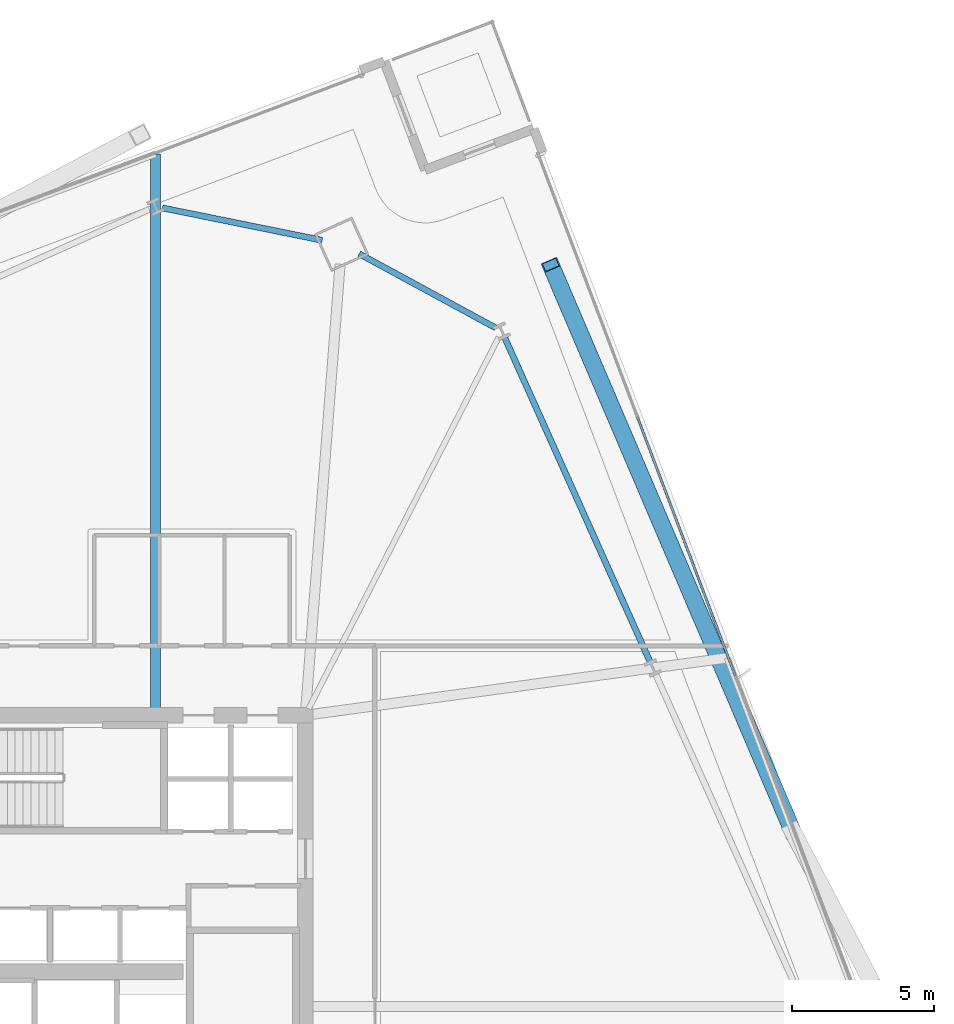
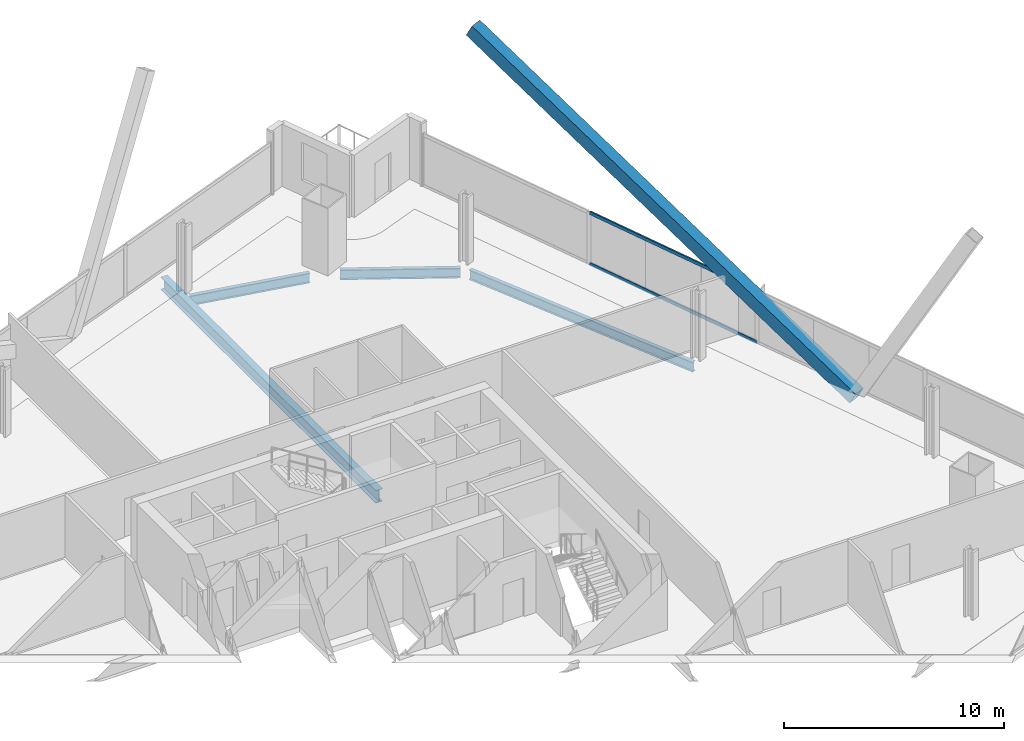
# One storey, part 25 of 37: 4 beams, 3 members, 1 element without a shape of its own.
"""IFC4 building model written with IfcOpenShell, lengths in metres."""

from ifc_helpers import new_model, si_unit, direction, frame, origin, origin_2d, place, context, subcontext, project, spatial, hollow_rectangle, i_section, extrude, material, material_profile, profile_set, type_object, element, aggregate, save


model = new_model("IFC4")

# Units and contexts
model_context = context("Model", 3, precision=1e-05, world=origin(), true_north=direction((0.0, 1.0)))
body_context = subcontext(model_context, "Body", "Model", "MODEL_VIEW")
ifc_project = project(units=[si_unit("LENGTHUNIT", "METRE"), si_unit("AREAUNIT", "SQUARE_METRE"), si_unit("VOLUMEUNIT", "CUBIC_METRE"), si_unit("PLANEANGLEUNIT", "RADIAN"), si_unit("MASSUNIT", "GRAM", prefix="KILO")], contexts=[model_context])

# Site, building, storey
site_placement = place(None, origin())
site = spatial("IfcSite", under=ifc_project, at=site_placement, CompositionType="ELEMENT")
building_placement = place(site_placement, origin())
building = spatial("IfcBuilding", under=site, at=building_placement, Name="Haldenkirk Collegiate Tower", CompositionType="ELEMENT")
storey_placement = place(building_placement, frame((0.0, 0.0, 97.949951171875)))
storey = spatial("IfcBuildingStorey", under=building, at=storey_placement, Name="L23", CompositionType="ELEMENT", Elevation=97.949951171875)

# Beams
ifc_material_1 = material(Name="Steel ASTM A992 Grade 50", Category="steel")
ifc_material_profile_1 = material_profile(ifc_material_1, i_section(OverallWidth=0.35498046875, OverallDepth=0.696044921875, WebThickness=0.015380859375, FlangeThickness=0.02490234375, at=origin_2d()), Name="W27X146")
ifc_profile_set_1 = profile_set([ifc_material_profile_1], Name="Steel ASTM A992 Grade 50")
beam_type_1 = type_object("IfcBeamType", Name="BM-GIRDER-W27X146", PredefinedType="BEAM", material=ifc_profile_set_1)
beam_1_placement = place(storey_placement, frame((39.71630859375, 53.787353515625, -0.64794921875), z_axis=(0.0, -1.0, 0.0), x_axis=(1.0, 0.0, 0.0)))
element("IfcBeam", 1, at=beam_1_placement, inside=storey, type_object=beam_type_1, Name="L23 primary floor girder 11", PredefinedType="BEAM", context=body_context, shape_type="SweptSolid", body=[
    extrude(i_section(OverallWidth=0.35498046875, OverallDepth=0.696044921875, WebThickness=0.015380859375, FlangeThickness=0.02490234375, at=origin_2d()), origin(), (0.0, 0.0, 1.0), 19.532470703125),
])
ifc_material_profile_2 = material_profile(ifc_material_1, i_section(OverallWidth=0.2119140625, OverallDepth=0.5439453125, WebThickness=0.01318359375, FlangeThickness=0.021240234375, at=origin_2d()), Name="W21X83")
ifc_profile_set_2 = profile_set([ifc_material_profile_2], Name="Steel ASTM A992 Grade 50")
beam_type_2 = type_object("IfcBeamType", Name="BM-SPANDREL-W21X83", PredefinedType="SPANDREL", material=ifc_profile_set_2)
beam_2_placement = place(storey_placement, frame((57.15478515625, 35.89111328125, -0.572021484375), z_axis=(-0.409131464477, 0.912475448861, 0.0), x_axis=(-0.912475448861, -0.409131464477, 0.0)))
element("IfcBeam", 2, at=beam_2_placement, inside=storey, type_object=beam_type_2, Name="L23 perimeter spandrel beam 07", PredefinedType="SPANDREL", context=body_context, shape_type="SweptSolid", body=[
    extrude(i_section(OverallWidth=0.2119140625, OverallDepth=0.5439453125, WebThickness=0.01318359375, FlangeThickness=0.021240234375, at=origin_2d()), origin(), (0.0, 0.0, 1.0), 12.524169921875),
])
beam_3_placement = place(storey_placement, frame((51.714599609375, 47.66015625, -0.572021484375), z_axis=(-0.878835810931, 0.477124320723, 0.0), x_axis=(-0.477124320723, -0.878835810931, 0.0)))
element("IfcBeam", 3, at=beam_3_placement, inside=storey, type_object=beam_type_2, Name="L23 perimeter spandrel beam 08", PredefinedType="SPANDREL", context=body_context, shape_type="SweptSolid", body=[
    extrude(i_section(OverallWidth=0.2119140625, OverallDepth=0.5439453125, WebThickness=0.01318359375, FlangeThickness=0.021240234375, at=origin_2d()), origin(), (0.0, 0.0, 1.0), 5.477783203125),
])
beam_4_placement = place(storey_placement, frame((45.590087890625, 50.750244140625, -0.572021484375), z_axis=(-0.980069318183, 0.198655811786, 0.0), x_axis=(-0.198655811786, -0.980069318183, 0.0)))
element("IfcBeam", 4, at=beam_4_placement, inside=storey, type_object=beam_type_2, Name="L23 perimeter spandrel beam 09", PredefinedType="SPANDREL", context=body_context, shape_type="SweptSolid", body=[
    extrude(i_section(OverallWidth=0.2119140625, OverallDepth=0.5439453125, WebThickness=0.01318359375, FlangeThickness=0.021240234375, at=origin_2d()), origin(), (0.0, 0.0, 1.0), 5.747802734375),
])

# Curtain wall, members
ifc_material_2 = material(Name="Anodised architectural bronze aluminium", Category="aluminium")
curtain_wall_type = type_object("IfcCurtainWallType", Name="CW-SYS1-CONVEX-LOW", PredefinedType="USERDEFINED", material=ifc_material_2)
curtain_wall_placement = place(storey_placement, origin())
curtain_wall = element("IfcCurtainWall", 5, at=curtain_wall_placement, inside=storey, type_object=curtain_wall_type, Name="L23 Lower tower convex bronze-framed unitised curtain wall", ObjectType="UNITISED CURTAIN WALL", PredefinedType="USERDEFINED")
ifc_material_profile_3 = material_profile(ifc_material_2, hollow_rectangle(XDim=0.080078125, YDim=0.179931640625, WallThickness=0.0048828125, at=origin_2d()), Name="CW-TRN-1A")
ifc_profile_set_3 = profile_set([ifc_material_profile_3], Name="Anodised architectural bronze aluminium")
member_type_1 = type_object("IfcMemberType", Name="CW-TRN-1A", PredefinedType="USERDEFINED", material=ifc_profile_set_3)
member_1_placement = place(storey_placement, frame((56.70849609375, 44.52587890625, 0.0400390625), z_axis=(0.353463741339, -0.935448226017, 0.0), x_axis=(0.935448226017, 0.353463741339, 0.0)))
member_1 = element("IfcMember", 6, at=member_1_placement, type_object=member_type_1, Name="CW-1A transom 2.1", ObjectType="TRANSOM", PredefinedType="USERDEFINED", context=body_context, shape_type="SweptSolid", body=[
    extrude(hollow_rectangle(XDim=0.080078125, YDim=0.179931640625, WallThickness=0.0048828125, at=origin_2d()), origin(), (0.0, 0.0, 1.0), 9.77001953125),
])
member_2_placement = place(storey_placement, frame((56.70849609375, 44.52587890625, 2.861083984375), z_axis=(0.353463741339, -0.935448226017, 0.0), x_axis=(0.935448226017, 0.353463741339, 0.0)))
member_2 = element("IfcMember", 7, at=member_2_placement, type_object=member_type_1, Name="CW-1A transom 2.2", ObjectType="TRANSOM", PredefinedType="USERDEFINED", context=body_context, shape_type="SweptSolid", body=[
    extrude(hollow_rectangle(XDim=0.080078125, YDim=0.179931640625, WallThickness=0.0048828125, at=origin_2d()), origin(), (0.0, 0.0, 1.0), 9.77001953125),
])
aggregate(curtain_wall, [member_1, member_2])

# Member
ifc_material_3 = material(Name="Steel ASTM A572 Grade 50", Category="steel")
ifc_material_profile_4 = material_profile(ifc_material_3, hollow_rectangle(XDim=0.60009765625, YDim=0.719970703125, WallThickness=0.044921875, at=origin_2d()), Name="BOX720X600X45")
ifc_profile_set_4 = profile_set([ifc_material_profile_4], Name="Steel ASTM A572 Grade 50")
member_type_2 = type_object("IfcMemberType", Name="MBR-MEGABRACE-BOX720X600X45", PredefinedType="BRACE", material=ifc_profile_set_4)
member_3_placement = place(storey_placement, frame((62.201416015625, 29.875732421875, -0.31005859375), z_axis=(-0.34897303404, 0.816858646872, 0.459303573407), x_axis=(-0.919596559958, -0.392864056529, 0.0)))
element("IfcMember", 8, at=member_3_placement, inside=storey, type_object=member_type_2, Name="Perimeter Mega Brace Z2 L23-L25 ER", PredefinedType="BRACE", context=body_context, shape_type="SweptSolid", body=[
    extrude(hollow_rectangle(XDim=0.60009765625, YDim=0.719970703125, WallThickness=0.044921875, at=origin_2d()), origin(), (0.0, 0.0, 1.0), 24.49365234375),
])

save(model, "model.ifc")
